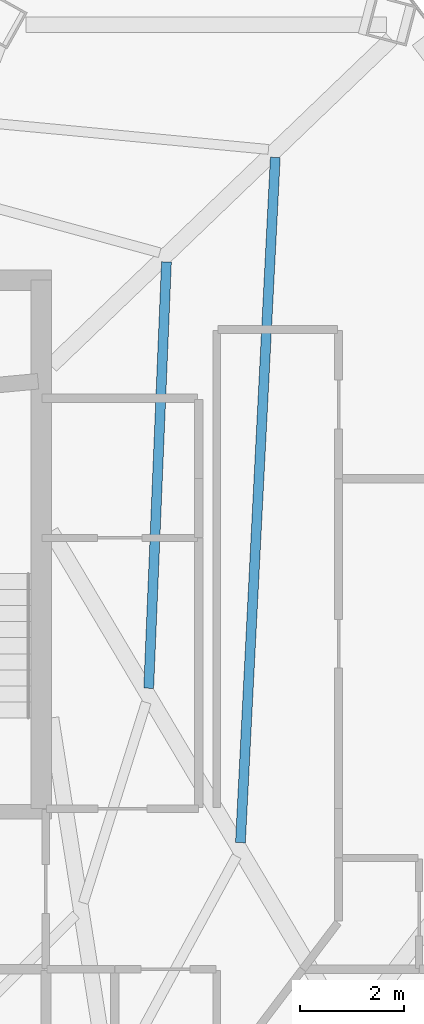
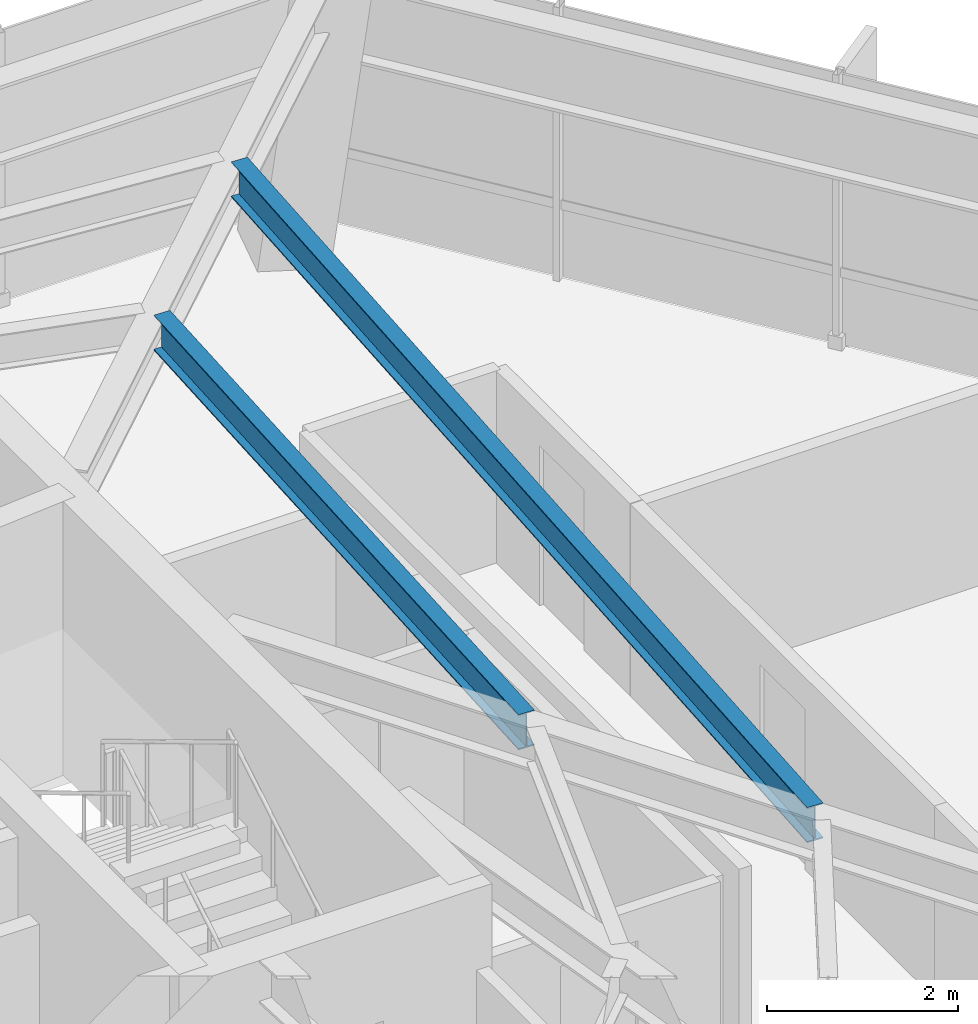
# One storey, part 20 of 29: 2 beams.
"""IFC4 building model written with IfcOpenShell, lengths in metres."""

from ifc_helpers import new_model, si_unit, direction, frame, origin, origin_2d, place, context, subcontext, project, spatial, i_section, extrude, material, material_profile, profile_set, type_object, element, save


model = new_model("IFC4")

# Units and contexts
model_context = context("Model", 3, precision=1e-05, world=origin(), true_north=direction((0.0, 1.0)))
body_context = subcontext(model_context, "Body", "Model", "MODEL_VIEW")
ifc_project = project(units=[si_unit("LENGTHUNIT", "METRE"), si_unit("AREAUNIT", "SQUARE_METRE"), si_unit("VOLUMEUNIT", "CUBIC_METRE"), si_unit("PLANEANGLEUNIT", "RADIAN"), si_unit("MASSUNIT", "GRAM", prefix="KILO")], contexts=[model_context])

# Site, building, storey
site_placement = place(None, origin())
site = spatial("IfcSite", under=ifc_project, at=site_placement, CompositionType="ELEMENT")
building_placement = place(site_placement, origin())
building = spatial("IfcBuilding", under=site, at=building_placement, Name="Zarrinselat Tower", CompositionType="ELEMENT")
storey_placement = place(building_placement, frame((0.0, 0.0, 142.1201171875)))
storey = spatial("IfcBuildingStorey", under=building, at=storey_placement, Name="L34", CompositionType="ELEMENT", Elevation=142.1201171875)

# Beams
ifc_material = material(Name="Steel S355J2", Category="steel")
ifc_material_profile = material_profile(ifc_material, i_section(OverallWidth=0.18994140625, OverallDepth=0.449951171875, WebThickness=0.009521484375, FlangeThickness=0.0146484375, at=origin_2d()), Name="IPE 450")
ifc_profile_set = profile_set([ifc_material_profile], Name="Steel S355J2")
beam_type = type_object("IfcBeamType", Name="BM-IPE450", PredefinedType="JOIST", material=ifc_profile_set)
beam_1_placement = place(storey_placement, frame((52.10595703125, 32.59521484375, 3.27490234375), z_axis=(0.050807408392, 0.998708469601, 0.0), x_axis=(-0.998708469601, 0.050807408392, 0.0)))
element("IfcBeam", 1, at=beam_1_placement, inside=storey, type_object=beam_type, Name="L34 Composite Floor Joist 5-1", PredefinedType="JOIST", context=body_context, shape_type="SweptSolid", body=[
    extrude(i_section(OverallWidth=0.18994140625, OverallDepth=0.449951171875, WebThickness=0.009521484375, FlangeThickness=0.0146484375, at=origin_2d()), origin(), (0.0, 0.0, 1.0), 13.2431640625),
])
beam_2_placement = place(storey_placement, frame((50.33544921875, 35.574462890625, 3.27490234375), z_axis=(0.041587392022, 0.999134870188, 0.0), x_axis=(-0.999134870188, 0.041587392022, 0.0)))
element("IfcBeam", 2, at=beam_2_placement, inside=storey, type_object=beam_type, Name="L34 Composite Floor Joist 5-2", PredefinedType="JOIST", context=body_context, shape_type="SweptSolid", body=[
    extrude(i_section(OverallWidth=0.18994140625, OverallDepth=0.449951171875, WebThickness=0.009521484375, FlangeThickness=0.0146484375, at=origin_2d()), origin(), (0.0, 0.0, 1.0), 8.236328125),
])

save(model, "model.ifc")
